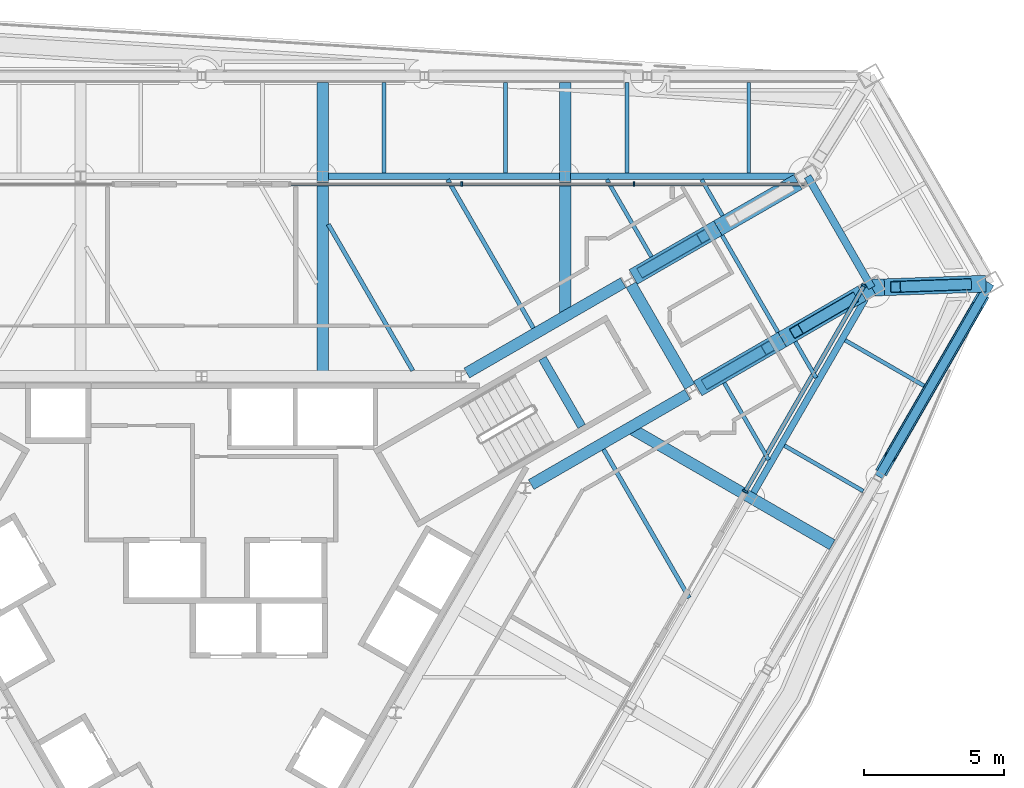
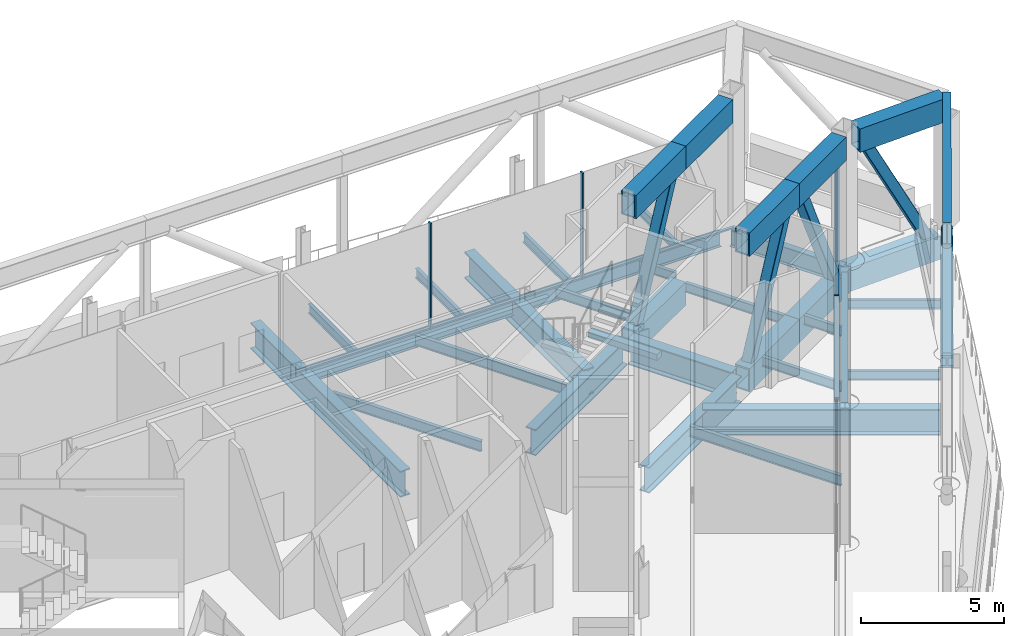
# One storey, part 11 of 24: 36 beams, 13 members, 2 elements without a shape of their own.
"""IFC4 building model written with IfcOpenShell, lengths in metres."""

from ifc_helpers import new_model, si_unit, direction, frame, origin, origin_2d, place, context, subcontext, project, spatial, rectangle, hollow_rectangle, hollow_circle, i_section, extrude, material, material_profile, profile_set, type_object, element, aggregate, save


model = new_model("IFC4")

# Units and contexts
model_context = context("Model", 3, precision=1e-05, world=origin(), true_north=direction((0.0, 1.0)))
body_context = subcontext(model_context, "Body", "Model", "MODEL_VIEW")
ifc_project = project(units=[si_unit("LENGTHUNIT", "METRE"), si_unit("AREAUNIT", "SQUARE_METRE"), si_unit("VOLUMEUNIT", "CUBIC_METRE"), si_unit("PLANEANGLEUNIT", "RADIAN"), si_unit("MASSUNIT", "GRAM", prefix="KILO")], contexts=[model_context])

# Site, building, storey
site_placement = place(None, origin())
site = spatial("IfcSite", under=ifc_project, at=site_placement, CompositionType="ELEMENT")
building_placement = place(site_placement, origin())
building = spatial("IfcBuilding", under=site, at=building_placement, Name="Verrane Prism Tower", CompositionType="ELEMENT")
storey_placement = place(building_placement, frame((0.0, 0.0, 200.60009765625)))
storey = spatial("IfcBuildingStorey", under=building, at=storey_placement, Name="L50", CompositionType="ELEMENT", Elevation=200.60009765625)

# Beams
ifc_material_1 = material(Name="Steel A992", Category="steel")
ifc_material_profile_1 = material_profile(ifc_material_1, i_section(OverallWidth=0.44189453125, OverallDepth=0.53076171875, WebThickness=0.06591796875, FlangeThickness=0.105712890625, FilletRadius=0.01513671875, at=origin_2d()), Name="W14x605")
ifc_profile_set_1 = profile_set([ifc_material_profile_1], Name="Steel A992")
beam_type_1 = type_object("IfcBeamType", Name="Belt truss chord W14x605", PredefinedType="BEAM", material=ifc_profile_set_1)
beam_1_placement = place(storey_placement, frame((24.236083984375, 4.552001953125, -0.4248046875), z_axis=(0.49925671133, 0.866454116611, 0.0), x_axis=(-0.866454116611, 0.49925671133, 0.0)))
element("IfcBeam", 1, at=beam_1_placement, inside=storey, type_object=beam_type_1, Name="Belt truss chord L50", PredefinedType="BEAM", context=body_context, shape_type="SweptSolid", body=[
    extrude(i_section(OverallWidth=0.44189453125, OverallDepth=0.53076171875, WebThickness=0.06591796875, FlangeThickness=0.105712890625, FilletRadius=0.01513671875, at=origin_2d()), origin(), (0.0, 0.0, 1.0), 7.337646484375),
])
ifc_material_2 = material(Name="Steel A992", Category="steel")
ifc_material_profile_2 = material_profile(ifc_material_2, i_section(OverallWidth=0.307373046875, OverallDepth=0.927001953125, WebThickness=0.01953125, FlangeThickness=0.031982421875, FilletRadius=0.01904296875, at=origin_2d()), Name="W36x194")
ifc_profile_set_2 = profile_set([ifc_material_profile_2], Name="Steel A992")
beam_type_2 = type_object("IfcBeamType", Name="Belt truss chord W36x194", PredefinedType="BEAM", material=ifc_profile_set_2)
beam_2_placement = place(storey_placement, frame((24.159912109375, 4.419921875, 5.176513671875), z_axis=(0.4992404173, 0.866463505137, 0.0), x_axis=(-0.866463505137, 0.4992404173, 0.0)))
element("IfcBeam", 2, at=beam_2_placement, inside=storey, type_object=beam_type_2, Name="Belt truss chord L50", PredefinedType="BEAM", context=body_context, shape_type="SweptSolid", body=[
    extrude(i_section(OverallWidth=0.307373046875, OverallDepth=0.927001953125, WebThickness=0.01953125, FlangeThickness=0.031982421875, FilletRadius=0.01904296875, at=origin_2d()), origin(), (0.0, 0.0, 1.0), 7.951904296875),
])

# Member
ifc_material_3 = material(Name="Steel A500 Grade C", Category="steel")
ifc_material_profile_3 = material_profile(ifc_material_3, hollow_circle(Radius=0.203125, WallThickness=0.0126953125, at=origin_2d()), Name="HSS16.000x0.500")
ifc_profile_set_3 = profile_set([ifc_material_profile_3], Name="Steel A500 Grade C")
member_type_1 = type_object("IfcMemberType", Name="Belt truss diagonal HSS16.000x0.500", PredefinedType="BRACE", material=ifc_profile_set_3)
member_1_placement = place(storey_placement, frame((27.654296875, 10.484619140625, -0.1591796875), z_axis=(-0.388773985342, -0.674788056398, 0.627308430729), x_axis=(0.86647824971, -0.499214826282, 0.0)))
element("IfcMember", 3, at=member_1_placement, inside=storey, type_object=member_type_1, Name="Belt truss diagonal L50", PredefinedType="BRACE", context=body_context, shape_type="SweptSolid", body=[
    extrude(hollow_circle(Radius=0.203125, WallThickness=0.0126953125, at=origin_2d()), origin(), (0.0, 0.0, 1.0), 7.949462890625),
])

# Beams
ifc_material_4 = material(Name="Steel A992", Category="steel")
ifc_material_profile_4 = material_profile(ifc_material_4, i_section(OverallWidth=0.2666015625, OverallDepth=0.7568359375, WebThickness=0.013916015625, FlangeThickness=0.019287109375, FilletRadius=0.0166015625, at=origin_2d()), Name="W30x108")
ifc_profile_set_4 = profile_set([ifc_material_profile_4], Name="Steel A992")
beam_type_3 = type_object("IfcBeamType", Name="Chamfer spandrel beam W30x108", PredefinedType="SPANDREL", material=ifc_profile_set_4)
beam_3_placement = place(storey_placement, frame((23.909912109375, 11.159912109375, -0.53857421875), z_axis=(-0.499628679417, 0.86623967971, 0.0), x_axis=(-0.86623967971, -0.499628679417, 0.0)))
element("IfcBeam", 4, at=beam_3_placement, inside=storey, type_object=beam_type_3, Name="Chamfer spandrel beam L50", PredefinedType="SPANDREL", context=body_context, shape_type="SweptSolid", body=[
    extrude(i_section(OverallWidth=0.2666015625, OverallDepth=0.7568359375, WebThickness=0.013916015625, FlangeThickness=0.019287109375, FilletRadius=0.0166015625, at=origin_2d()), origin(), (0.0, 0.0, 1.0), 4.5830078125),
])
ifc_material_5 = material(Name="Steel A992", Category="steel")
ifc_material_profile_5 = material_profile(ifc_material_5, i_section(OverallWidth=0.140380859375, OverallDepth=0.40380859375, WebThickness=0.007080078125, FlangeThickness=0.01123046875, FilletRadius=0.01025390625, at=origin_2d()), Name="W16x31")
ifc_profile_set_5 = profile_set([ifc_material_profile_5], Name="Steel A992")
beam_type_4 = type_object("IfcBeamType", Name="Floor beam W16x31", PredefinedType="BEAM", material=ifc_profile_set_5)
for number, where, z_axis, x_axis, name in (
    (5, (19.521728515625, 15.2451171875, -0.362060546875), (0.0, 1.0, 0.0), (-1.0, 0.0, 0.0), "Floor beam L50"),
    (6, (15.18359375, 15.2451171875, -0.362060546875), (0.0, 1.0, 0.0), (-1.0, 0.0, 0.0), "Floor beam L50"),
    (7, (10.845458984375, 15.2451171875, -0.362060546875), (0.0, 1.0, 0.0), (-1.0, 0.0, 0.0), "Floor beam L50"),
    (8, (6.50732421875, 15.2451171875, -0.362060546875), (0.0, 1.0, 0.0), (-1.0, 0.0, 0.0), "Floor beam L50"),
):
    element("IfcBeam", number, at=place(storey_placement, frame(where, z_axis=z_axis, x_axis=x_axis)), inside=storey, type_object=beam_type_4, Name=name, PredefinedType="BEAM", context=body_context, shape_type="SweptSolid", body=[
        extrude(i_section(OverallWidth=0.140380859375, OverallDepth=0.40380859375, WebThickness=0.007080078125, FlangeThickness=0.01123046875, FilletRadius=0.01025390625, at=origin_2d()), origin(), (0.0, 0.0, 1.0), 3.243896484375),
    ])
beam_4_placement = place(storey_placement, frame((18.586181640625, 13.727294921875, -0.362060546875), z_axis=(-0.500006734102, 0.866021515814, 0.0), x_axis=(-0.866021515814, -0.500006734102, 0.0)))
element("IfcBeam", 9, at=beam_4_placement, inside=storey, type_object=beam_type_4, Name="Floor beam L50", PredefinedType="BEAM", context=body_context, shape_type="SweptSolid", body=[
    extrude(i_section(OverallWidth=0.140380859375, OverallDepth=0.40380859375, WebThickness=0.007080078125, FlangeThickness=0.01123046875, FilletRadius=0.01025390625, at=origin_2d()), origin(), (0.0, 0.0, 1.0), 1.48681640625),
])
beam_5_placement = place(storey_placement, frame((16.049072265625, 12.264404296875, -0.362060546875), z_axis=(-0.500032968797, 0.866006368404, 0.0), x_axis=(-0.866006368404, -0.500032968797, 0.0)))
element("IfcBeam", 10, at=beam_5_placement, inside=storey, type_object=beam_type_4, Name="Floor beam L50", PredefinedType="BEAM", context=body_context, shape_type="SweptSolid", body=[
    extrude(i_section(OverallWidth=0.140380859375, OverallDepth=0.40380859375, WebThickness=0.007080078125, FlangeThickness=0.01123046875, FilletRadius=0.01025390625, at=origin_2d()), origin(), (0.0, 0.0, 1.0), 3.176025390625),
])
beam_6_placement = place(storey_placement, frame((25.77294921875, 7.661865234375, -0.362060546875), z_axis=(-0.866036573622, 0.499980652775, 0.0), x_axis=(-0.499980652775, -0.866036573622, 0.0)))
element("IfcBeam", 11, at=beam_6_placement, inside=storey, type_object=beam_type_4, Name="Floor beam L50", PredefinedType="BEAM", context=body_context, shape_type="SweptSolid", body=[
    extrude(i_section(OverallWidth=0.140380859375, OverallDepth=0.40380859375, WebThickness=0.007080078125, FlangeThickness=0.01123046875, FilletRadius=0.01025390625, at=origin_2d()), origin(), (0.0, 0.0, 1.0), 3.246826171875),
])
beam_7_placement = place(storey_placement, frame((23.6064453125, 3.903564453125, -0.362060546875), z_axis=(-0.866027848477, 0.499995765644, 0.0), x_axis=(-0.499995765644, -0.866027848477, 0.0)))
element("IfcBeam", 12, at=beam_7_placement, inside=storey, type_object=beam_type_4, Name="Floor beam L50", PredefinedType="BEAM", context=body_context, shape_type="SweptSolid", body=[
    extrude(i_section(OverallWidth=0.140380859375, OverallDepth=0.40380859375, WebThickness=0.007080078125, FlangeThickness=0.01123046875, FilletRadius=0.01025390625, at=origin_2d()), origin(), (0.0, 0.0, 1.0), 3.24755859375),
])
beam_8_placement = place(storey_placement, frame((21.92333984375, 7.94580078125, -0.362060546875), z_axis=(-0.499902584933, 0.866081639095, 0.0), x_axis=(-0.866081639095, -0.499902584933, 0.0)))
element("IfcBeam", 13, at=beam_8_placement, inside=storey, type_object=beam_type_4, Name="Floor beam L50", PredefinedType="BEAM", context=body_context, shape_type="SweptSolid", body=[
    extrude(i_section(OverallWidth=0.140380859375, OverallDepth=0.40380859375, WebThickness=0.007080078125, FlangeThickness=0.01123046875, FilletRadius=0.01025390625, at=origin_2d()), origin(), (0.0, 0.0, 1.0), 1.486083984375),
])
beam_9_placement = place(storey_placement, frame((20.234130859375, 5.016845703125, -0.362060546875), z_axis=(-0.500002074818, 0.866024205884, 0.0), x_axis=(-0.866024205884, -0.500002074818, 0.0)))
element("IfcBeam", 14, at=beam_9_placement, inside=storey, type_object=beam_type_4, Name="Floor beam L50", PredefinedType="BEAM", context=body_context, shape_type="SweptSolid", body=[
    extrude(i_section(OverallWidth=0.140380859375, OverallDepth=0.40380859375, WebThickness=0.007080078125, FlangeThickness=0.01123046875, FilletRadius=0.01025390625, at=origin_2d()), origin(), (0.0, 0.0, 1.0), 3.17431640625),
])
beam_10_placement = place(storey_placement, frame((20.56494140625, 9.56982421875, -0.362060546875), z_axis=(-0.499989060909, 0.866031719379, 0.0), x_axis=(-0.866031719379, -0.499989060909, 0.0)))
element("IfcBeam", 15, at=beam_10_placement, inside=storey, type_object=beam_type_4, Name="Floor beam L50", PredefinedType="BEAM", context=body_context, shape_type="SweptSolid", body=[
    extrude(i_section(OverallWidth=0.140380859375, OverallDepth=0.40380859375, WebThickness=0.007080078125, FlangeThickness=0.01123046875, FilletRadius=0.01025390625, at=origin_2d()), origin(), (0.0, 0.0, 1.0), 3.98974609375),
])
ifc_material_6 = material(Name="Steel A992", Category="steel")
ifc_material_profile_6 = material_profile(ifc_material_6, i_section(OverallWidth=0.15234375, OverallDepth=0.449462890625, WebThickness=0.007568359375, FlangeThickness=0.0107421875, FilletRadius=0.01025390625, at=origin_2d()), Name="W18x35")
ifc_profile_set_6 = profile_set([ifc_material_profile_6], Name="Steel A992")
beam_type_5 = type_object("IfcBeamType", Name="Floor beam W18x35", PredefinedType="BEAM", material=ifc_profile_set_6)
beam_11_placement = place(storey_placement, frame((11.837890625, 9.72021484375, -0.385009765625), z_axis=(-0.500000141125, 0.866025322306, 0.0), x_axis=(-0.866025322306, -0.500000141125, 0.0)))
element("IfcBeam", 16, at=beam_11_placement, inside=storey, type_object=beam_type_5, Name="Floor beam L50", PredefinedType="BEAM", context=body_context, shape_type="SweptSolid", body=[
    extrude(i_section(OverallWidth=0.15234375, OverallDepth=0.449462890625, WebThickness=0.007568359375, FlangeThickness=0.0107421875, FilletRadius=0.01025390625, at=origin_2d()), origin(), (0.0, 0.0, 1.0), 6.11376953125),
])
beam_12_placement = place(storey_placement, frame((7.53515625, 8.201904296875, -0.385009765625), z_axis=(-0.499999492451, 0.866025696818, 0.0), x_axis=(-0.866025696818, -0.499999492451, 0.0)))
element("IfcBeam", 17, at=beam_12_placement, inside=storey, type_object=beam_type_5, Name="Floor beam L50", PredefinedType="BEAM", context=body_context, shape_type="SweptSolid", body=[
    extrude(i_section(OverallWidth=0.15234375, OverallDepth=0.449462890625, WebThickness=0.007568359375, FlangeThickness=0.0107421875, FilletRadius=0.01025390625, at=origin_2d()), origin(), (0.0, 0.0, 1.0), 6.0263671875),
])
beam_13_placement = place(storey_placement, frame((17.3974609375, 0.098876953125, -0.385009765625), z_axis=(-0.500006018292, 0.866021929094, 0.0), x_axis=(-0.866021929094, -0.500006018292, 0.0)))
element("IfcBeam", 18, at=beam_13_placement, inside=storey, type_object=beam_type_5, Name="Floor beam L50", PredefinedType="BEAM", context=body_context, shape_type="SweptSolid", body=[
    extrude(i_section(OverallWidth=0.15234375, OverallDepth=0.449462890625, WebThickness=0.007568359375, FlangeThickness=0.0107421875, FilletRadius=0.01025390625, at=origin_2d()), origin(), (0.0, 0.0, 1.0), 6.111328125),
])

# Curtain wall, members
ifc_material_7 = material(Name="Aluminium framed insulated glazing", Category="aluminium")
curtain_wall_type_1 = type_object("IfcCurtainWallType", Name="Curtain wall CW-B 5600 module", PredefinedType="NOTDEFINED", material=ifc_material_7)
curtain_wall_1_placement = place(storey_placement, origin())
curtain_wall_1 = element("IfcCurtainWall", 19, at=curtain_wall_1_placement, inside=storey, type_object=curtain_wall_type_1, Name="Refuge lounge glazing north face L50 1", PredefinedType="NOTDEFINED")
ifc_material_8 = material(Name="Aluminium alloy 6063-T6", Category="aluminium")
ifc_material_profile_7 = material_profile(ifc_material_8, rectangle(XDim=0.159912109375, YDim=0.06005859375, at=origin_2d()), Name="Mullion 60x160 aluminium")
ifc_profile_set_7 = profile_set([ifc_material_profile_7], Name="Aluminium alloy 6063-T6")
member_type_2 = type_object("IfcMemberType", Name="Mullion 60x160 aluminium", PredefinedType="MULLION", material=ifc_profile_set_7)
member_2_placement = place(storey_placement, frame((15.43017578125, 14.85107421875, 0.0), z_axis=(0.0, 0.0, 1.0), x_axis=(0.0, -1.0, 0.0)))
member_2 = element("IfcMember", 20, at=member_2_placement, type_object=member_type_2, Name="CW50.2.1 mullion 2", PredefinedType="MULLION", context=body_context, shape_type="SweptSolid", body=[
    extrude(rectangle(XDim=0.159912109375, YDim=0.06005859375, at=origin_2d()), origin(), (0.0, 0.0, 1.0), 4.522216796875),
])
member_3_placement = place(storey_placement, frame((9.280029296875, 14.85107421875, 0.0), z_axis=(0.0, 0.0, 1.0), x_axis=(0.0, -1.0, 0.0)))
member_3 = element("IfcMember", 21, at=member_3_placement, type_object=member_type_2, Name="CW50.2.1 mullion 3", PredefinedType="MULLION", context=body_context, shape_type="SweptSolid", body=[
    extrude(rectangle(XDim=0.159912109375, YDim=0.06005859375, at=origin_2d()), origin(), (0.0, 0.0, 1.0), 4.522216796875),
])

ifc_material_9 = material(Name="Aluminium framed insulated glazing", Category="aluminium")
curtain_wall_type_2 = type_object("IfcCurtainWallType", Name="Curtain wall CW-A 8400 module", PredefinedType="NOTDEFINED", material=ifc_material_9)
curtain_wall_2_placement = place(storey_placement, origin())
curtain_wall_2 = element("IfcCurtainWall", 22, at=curtain_wall_2_placement, inside=storey, type_object=curtain_wall_type_2, Name="Refuge lounge glazing south-east face L50 3", PredefinedType="NOTDEFINED")
ifc_material_10 = material(Name="Aluminium alloy 6063-T6", Category="aluminium")
ifc_material_profile_8 = material_profile(ifc_material_10, rectangle(XDim=0.199951171875, YDim=0.070068359375, at=origin_2d()), Name="Mullion 70x200 aluminium")
ifc_profile_set_8 = profile_set([ifc_material_profile_8], Name="Aluminium alloy 6063-T6")
member_type_3 = type_object("IfcMemberType", Name="Mullion 70x200 aluminium", PredefinedType="MULLION", material=ifc_profile_set_8)
member_4_placement = place(storey_placement, frame((19.3994140625, 3.89892578125, 0.0), z_axis=(0.0, 0.0, 1.0), x_axis=(-0.866027812817, 0.499995827409, 0.0)))
member_4 = element("IfcMember", 23, at=member_4_placement, type_object=member_type_3, Name="CW50.6.3 mullion 1", PredefinedType="MULLION", context=body_context, shape_type="SweptSolid", body=[
    extrude(rectangle(XDim=0.199951171875, YDim=0.070068359375, at=origin_2d()), origin(), (0.0, 0.0, 1.0), 4.522216796875),
])
member_5_placement = place(storey_placement, frame((23.6337890625, 11.233154296875, 0.0), z_axis=(0.0, 0.0, 1.0), x_axis=(-0.866027812817, 0.499995827409, 0.0)))
member_5 = element("IfcMember", 24, at=member_5_placement, type_object=member_type_3, Name="CW50.6.3 mullion 2", PredefinedType="MULLION", context=body_context, shape_type="SweptSolid", body=[
    extrude(rectangle(XDim=0.199951171875, YDim=0.070068359375, at=origin_2d()), origin(), (0.0, 0.0, 1.0), 4.522216796875),
])

# Beams
ifc_material_11 = material(Name="Steel A572 Grade 50", Category="steel")
ifc_material_profile_9 = material_profile(ifc_material_11, hollow_rectangle(XDim=0.60009765625, YDim=1.0, WallThickness=0.06005859375, at=origin_2d()), Name="BOX 1000x600x60")
ifc_profile_set_9 = profile_set([ifc_material_profile_9], Name="Steel A572 Grade 50")
beam_type_6 = type_object("IfcBeamType", Name="Outrigger truss chord BOX 1000x600x60", PredefinedType="BEAM", material=ifc_profile_set_9)
beam_14_placement = place(storey_placement, frame((27.677490234375, 11.2939453125, -0.66015625), z_axis=(-0.999367794504, -0.035552936702, 0.0), x_axis=(0.035552936702, -0.999367794504, 0.0)))
element("IfcBeam", 25, at=beam_14_placement, inside=storey, type_object=beam_type_6, Name="Outrigger truss chord L50", PredefinedType="BEAM", context=body_context, shape_type="SweptSolid", body=[
    extrude(hollow_rectangle(XDim=0.60009765625, YDim=1.0, WallThickness=0.06005859375, at=origin_2d()), origin(), (0.0, 0.0, 1.0), 3.77001953125),
])
beam_15_placement = place(storey_placement, frame((23.909912109375, 11.159912109375, -0.66015625), z_axis=(-0.865400627406, -0.501080586417, 0.0), x_axis=(0.501080586417, -0.865400627406, 0.0)))
element("IfcBeam", 26, at=beam_15_placement, inside=storey, type_object=beam_type_6, Name="Outrigger truss chord L50", PredefinedType="BEAM", context=body_context, shape_type="SweptSolid", body=[
    extrude(hollow_rectangle(XDim=0.60009765625, YDim=1.0, WallThickness=0.06005859375, at=origin_2d()), origin(), (0.0, 0.0, 1.0), 3.691650390625),
])
beam_16_placement = place(storey_placement, frame((20.715087890625, 9.31005859375, -0.66015625), z_axis=(-0.865408692438, -0.501066657295, 0.0), x_axis=(0.501066657295, -0.865408692438, 0.0)))
element("IfcBeam", 27, at=beam_16_placement, inside=storey, type_object=beam_type_6, Name="Outrigger truss chord L50", PredefinedType="BEAM", context=body_context, shape_type="SweptSolid", body=[
    extrude(hollow_rectangle(XDim=0.60009765625, YDim=1.0, WallThickness=0.06005859375, at=origin_2d()), origin(), (0.0, 0.0, 1.0), 3.48388671875),
])
beam_17_placement = place(storey_placement, frame((27.97998046875, 11.3046875, 5.139892578125), z_axis=(-0.999368084708, -0.035544778338, 0.0), x_axis=(0.035544778338, -0.999368084708, 0.0)))
element("IfcBeam", 28, at=beam_17_placement, inside=storey, type_object=beam_type_6, Name="Outrigger truss chord L50", PredefinedType="BEAM", context=body_context, shape_type="SweptSolid", body=[
    extrude(hollow_rectangle(XDim=0.60009765625, YDim=1.0, WallThickness=0.06005859375, at=origin_2d()), origin(), (0.0, 0.0, 1.0), 3.61962890625),
])
beam_18_placement = place(storey_placement, frame((23.563720703125, 10.959716796875, 5.139892578125), z_axis=(-0.865367039081, -0.501138591282, 0.0), x_axis=(0.501138591282, -0.865367039081, 0.0)))
element("IfcBeam", 29, at=beam_18_placement, inside=storey, type_object=beam_type_6, Name="Outrigger truss chord L50", PredefinedType="BEAM", context=body_context, shape_type="SweptSolid", body=[
    extrude(hollow_rectangle(XDim=0.60009765625, YDim=1.0, WallThickness=0.06005859375, at=origin_2d()), origin(), (0.0, 0.0, 1.0), 3.291748046875),
])
beam_19_placement = place(storey_placement, frame((20.715087890625, 9.31005859375, 5.139892578125), z_axis=(-0.865408692438, -0.501066657295, 0.0), x_axis=(0.501066657295, -0.865408692438, 0.0)))
element("IfcBeam", 30, at=beam_19_placement, inside=storey, type_object=beam_type_6, Name="Outrigger truss chord L50", PredefinedType="BEAM", context=body_context, shape_type="SweptSolid", body=[
    extrude(hollow_rectangle(XDim=0.60009765625, YDim=1.0, WallThickness=0.06005859375, at=origin_2d()), origin(), (0.0, 0.0, 1.0), 3.48388671875),
])
beam_20_placement = place(storey_placement, frame((18.419921875, 13.284912109375, -0.66015625), z_axis=(-0.866318493487, -0.499492009788, 0.0), x_axis=(0.499492009788, -0.866318493487, 0.0)))
element("IfcBeam", 31, at=beam_20_placement, inside=storey, type_object=beam_type_6, Name="Outrigger truss chord L50", PredefinedType="BEAM", context=body_context, shape_type="SweptSolid", body=[
    extrude(hollow_rectangle(XDim=0.60009765625, YDim=1.0, WallThickness=0.06005859375, at=origin_2d()), origin(), (0.0, 0.0, 1.0), 3.485595703125),
])
beam_21_placement = place(storey_placement, frame((21.2734375, 14.93017578125, 5.139892578125), z_axis=(-0.866316356648, -0.499495715901, 0.0), x_axis=(0.499495715901, -0.866316356648, 0.0)))
element("IfcBeam", 32, at=beam_21_placement, inside=storey, type_object=beam_type_6, Name="Outrigger truss chord L50", PredefinedType="BEAM", context=body_context, shape_type="SweptSolid", body=[
    extrude(hollow_rectangle(XDim=0.60009765625, YDim=1.0, WallThickness=0.06005859375, at=origin_2d()), origin(), (0.0, 0.0, 1.0), 3.2939453125),
])
beam_22_placement = place(storey_placement, frame((18.419921875, 13.284912109375, 5.139892578125), z_axis=(-0.866318493487, -0.499492009788, 0.0), x_axis=(0.499492009788, -0.866318493487, 0.0)))
element("IfcBeam", 33, at=beam_22_placement, inside=storey, type_object=beam_type_6, Name="Outrigger truss chord L50", PredefinedType="BEAM", context=body_context, shape_type="SweptSolid", body=[
    extrude(hollow_rectangle(XDim=0.60009765625, YDim=1.0, WallThickness=0.06005859375, at=origin_2d()), origin(), (0.0, 0.0, 1.0), 3.485595703125),
])

# Members
ifc_material_12 = material(Name="Steel A500 Grade C", Category="steel")
ifc_material_profile_10 = material_profile(ifc_material_12, hollow_rectangle(XDim=0.406494140625, YDim=0.406494140625, WallThickness=0.01904296875, InnerFilletRadius=0.009521484375, OuterFilletRadius=0.028564453125, at=origin_2d()), Name="HSS16x16x3/4")
ifc_profile_set_10 = profile_set([ifc_material_profile_10], Name="Steel A500 Grade C")
member_type_4 = type_object("IfcMemberType", Name="Outrigger truss diagonal HSS16x16x3/4", PredefinedType="BRACE", material=ifc_profile_set_10)
member_6_placement = place(storey_placement, frame((27.281494140625, 11.27978515625, -0.22021484375), z_axis=(-0.456261232224, -0.016202019567, 0.889698366038), x_axis=(0.035488033594, -0.99937010135, 0.0)))
element("IfcMember", 34, at=member_6_placement, inside=storey, type_object=member_type_4, Name="Outrigger truss diagonal L50", PredefinedType="BRACE", context=body_context, shape_type="SweptSolid", body=[
    extrude(hollow_rectangle(XDim=0.406494140625, YDim=0.406494140625, WallThickness=0.01904296875, InnerFilletRadius=0.009521484375, OuterFilletRadius=0.028564453125, at=origin_2d()), origin(), (0.0, 0.0, 1.0), 5.530029296875),
])
member_7_placement = place(storey_placement, frame((23.19384765625, 10.745361328125, -0.22021484375), z_axis=(-0.364454072205, -0.211030519211, 0.906994679816), x_axis=(0.501091032423, -0.865394578921, 0.0)))
element("IfcMember", 35, at=member_7_placement, inside=storey, type_object=member_type_4, Name="Outrigger truss diagonal L50", PredefinedType="BRACE", context=body_context, shape_type="SweptSolid", body=[
    extrude(hollow_rectangle(XDim=0.406494140625, YDim=0.406494140625, WallThickness=0.01904296875, InnerFilletRadius=0.009521484375, OuterFilletRadius=0.028564453125, at=origin_2d()), origin(), (0.0, 0.0, 1.0), 5.4248046875),
])
member_8_placement = place(storey_placement, frame((18.082763671875, 7.785888671875, -0.22021484375), z_axis=(0.385411100855, 0.223160802259, 0.895353304385), x_axis=(-0.501083458137, 0.86539896463, 0.0)))
element("IfcMember", 36, at=member_8_placement, inside=storey, type_object=member_type_4, Name="Outrigger truss diagonal L50", PredefinedType="BRACE", context=body_context, shape_type="SweptSolid", body=[
    extrude(hollow_rectangle(XDim=0.406494140625, YDim=0.406494140625, WallThickness=0.01904296875, InnerFilletRadius=0.009521484375, OuterFilletRadius=0.028564453125, at=origin_2d()), origin(), (0.0, 0.0, 1.0), 5.4951171875),
])
member_9_placement = place(storey_placement, frame((15.783447265625, 11.764892578125, -0.22021484375), z_axis=(0.385990173055, 0.222558495455, 0.895253764251), x_axis=(-0.499506656897, 0.866310048259, 0.0)))
element("IfcMember", 37, at=member_9_placement, inside=storey, type_object=member_type_4, Name="Outrigger truss diagonal L50", PredefinedType="BRACE", context=body_context, shape_type="SweptSolid", body=[
    extrude(hollow_rectangle(XDim=0.406494140625, YDim=0.406494140625, WallThickness=0.01904296875, InnerFilletRadius=0.009521484375, OuterFilletRadius=0.028564453125, at=origin_2d()), origin(), (0.0, 0.0, 1.0), 5.495849609375),
])

# Beams
ifc_material_13 = material(Name="Steel A992", Category="steel")
ifc_material_profile_11 = material_profile(ifc_material_13, i_section(OverallWidth=0.23046875, OverallDepth=0.6171875, WebThickness=0.01318359375, FlangeThickness=0.022216796875, FilletRadius=0.012939453125, at=origin_2d()), Name="W24x94")
ifc_profile_set_11 = profile_set([ifc_material_profile_11], Name="Steel A992")
beam_type_7 = type_object("IfcBeamType", Name="Spandrel beam W24x94", PredefinedType="SPANDREL", material=ifc_profile_set_11)
beam_23_placement = place(storey_placement, frame((21.158203125, 15.1298828125, -0.46875), z_axis=(-1.0, 0.0, 0.0), x_axis=(0.0, -1.0, 0.0)))
element("IfcBeam", 38, at=beam_23_placement, inside=storey, type_object=beam_type_7, Name="Spandrel beam L50", PredefinedType="SPANDREL", context=body_context, shape_type="SweptSolid", body=[
    extrude(i_section(OverallWidth=0.23046875, OverallDepth=0.6171875, WebThickness=0.01318359375, FlangeThickness=0.022216796875, FilletRadius=0.012939453125, at=origin_2d()), origin(), (0.0, 0.0, 1.0), 7.987548828125),
])
beam_24_placement = place(storey_placement, frame((12.769287109375, 15.1298828125, -0.46875), z_axis=(-1.0, 0.0, 0.0), x_axis=(0.0, -1.0, 0.0)))
element("IfcBeam", 39, at=beam_24_placement, inside=storey, type_object=beam_type_7, Name="Spandrel beam L50", PredefinedType="SPANDREL", context=body_context, shape_type="SweptSolid", body=[
    extrude(i_section(OverallWidth=0.23046875, OverallDepth=0.6171875, WebThickness=0.01318359375, FlangeThickness=0.022216796875, FilletRadius=0.012939453125, at=origin_2d()), origin(), (0.0, 0.0, 1.0), 8.24853515625),
])
beam_25_placement = place(storey_placement, frame((19.690185546875, 3.84375, -0.46875), z_axis=(0.499628915067, 0.866239543792, 0.0), x_axis=(-0.866239543792, 0.499628915067, 0.0)))
element("IfcBeam", 40, at=beam_25_placement, inside=storey, type_object=beam_type_7, Name="Spandrel beam L50", PredefinedType="SPANDREL", context=body_context, shape_type="SweptSolid", body=[
    extrude(i_section(OverallWidth=0.23046875, OverallDepth=0.6171875, WebThickness=0.01318359375, FlangeThickness=0.022216796875, FilletRadius=0.012939453125, at=origin_2d()), origin(), (0.0, 0.0, 1.0), 7.98388671875),
])
ifc_material_14 = material(Name="Concrete C40/50", Category="concrete")
ifc_material_profile_12 = material_profile(ifc_material_14, rectangle(XDim=0.300048828125, YDim=0.25, at=origin_2d()), Name="RC 300x250")
ifc_profile_set_12 = profile_set([ifc_material_profile_12], Name="Concrete C40/50")
beam_type_8 = type_object("IfcBeamType", Name="Stair landing trimmer beam 300x250 concrete C40/50", PredefinedType="BEAM", material=ifc_profile_set_12)
beam_26_placement = place(storey_placement, frame((12.160400390625, 8.637451171875, 2.574951171875), z_axis=(0.500049511043, -0.865996816683, 0.0), x_axis=(0.865996816683, 0.500049511043, 0.0)))
element("IfcBeam", 41, at=beam_26_placement, inside=storey, type_object=beam_type_8, Name="Stair 1 landing trimmer beam", PredefinedType="BEAM", context=body_context, shape_type="SweptSolid", body=[
    extrude(rectangle(XDim=0.300048828125, YDim=0.25, at=origin_2d()), origin(), (0.0, 0.0, 1.0), 2.800048828125),
])
ifc_material_15 = material(Name="Steel A992", Category="steel")
ifc_material_profile_13 = material_profile(ifc_material_15, i_section(OverallWidth=0.40380859375, OverallDepth=1.11767578125, WebThickness=0.026123046875, FlangeThickness=0.044921875, FilletRadius=0.02001953125, at=origin_2d()), Name="W44x335")
ifc_profile_set_13 = profile_set([ifc_material_profile_13], Name="Steel A992")
beam_type_9 = type_object("IfcBeamType", Name="Transfer girder W44x335", PredefinedType="BEAM", material=ifc_profile_set_13)
beam_27_placement = place(storey_placement, frame((11.7607421875, 4.1357421875, -0.808837890625), z_axis=(0.866075143088, 0.499913839102, 0.0), x_axis=(-0.499913839102, 0.866075143088, 0.0)))
element("IfcBeam", 42, at=beam_27_placement, inside=storey, type_object=beam_type_9, Name="Transfer girder L50", PredefinedType="BEAM", context=body_context, shape_type="SweptSolid", body=[
    extrude(i_section(OverallWidth=0.40380859375, OverallDepth=1.11767578125, WebThickness=0.026123046875, FlangeThickness=0.044921875, FilletRadius=0.02001953125, at=origin_2d()), origin(), (0.0, 0.0, 1.0), 6.441650390625),
])
beam_28_placement = place(storey_placement, frame((17.418212890625, 7.635986328125, -0.808837890625), z_axis=(-0.500305747711, 0.865848808284, 0.0), x_axis=(-0.865848808284, -0.500305747711, 0.0)))
element("IfcBeam", 43, at=beam_28_placement, inside=storey, type_object=beam_type_9, Name="Transfer girder L50", PredefinedType="BEAM", context=body_context, shape_type="SweptSolid", body=[
    extrude(i_section(OverallWidth=0.40380859375, OverallDepth=1.11767578125, WebThickness=0.026123046875, FlangeThickness=0.044921875, FilletRadius=0.02001953125, at=origin_2d()), origin(), (0.0, 0.0, 1.0), 4.1904296875),
])
beam_29_placement = place(storey_placement, frame((15.03955078125, 11.3359375, -0.808837890625), z_axis=(-0.866075143088, -0.499913839102, 0.0), x_axis=(0.499913839102, -0.866075143088, 0.0)))
element("IfcBeam", 44, at=beam_29_placement, inside=storey, type_object=beam_type_9, Name="Transfer girder L50", PredefinedType="BEAM", context=body_context, shape_type="SweptSolid", body=[
    extrude(i_section(OverallWidth=0.40380859375, OverallDepth=1.11767578125, WebThickness=0.026123046875, FlangeThickness=0.044921875, FilletRadius=0.02001953125, at=origin_2d()), origin(), (0.0, 0.0, 1.0), 6.441650390625),
])
beam_30_placement = place(storey_placement, frame((12.969970703125, 18.489013671875, -0.718994140625), z_axis=(0.0, -1.0, 0.0), x_axis=(1.0, 0.0, 0.0)))
element("IfcBeam", 45, at=beam_30_placement, inside=storey, type_object=beam_type_9, Name="Transfer girder L50", PredefinedType="BEAM", context=body_context, shape_type="SweptSolid", body=[
    extrude(i_section(OverallWidth=0.40380859375, OverallDepth=1.11767578125, WebThickness=0.026123046875, FlangeThickness=0.044921875, FilletRadius=0.02001953125, at=origin_2d()), origin(), (0.0, 0.0, 1.0), 8.34765625),
])
beam_31_placement = place(storey_placement, frame((4.320068359375, 18.489013671875, -0.718994140625), z_axis=(0.0, -1.0, 0.0), x_axis=(1.0, 0.0, 0.0)))
element("IfcBeam", 46, at=beam_31_placement, inside=storey, type_object=beam_type_9, Name="Transfer girder L50", PredefinedType="BEAM", context=body_context, shape_type="SweptSolid", body=[
    extrude(i_section(OverallWidth=0.40380859375, OverallDepth=1.11767578125, WebThickness=0.026123046875, FlangeThickness=0.044921875, FilletRadius=0.02001953125, at=origin_2d()), origin(), (0.0, 0.0, 1.0), 10.489013671875),
])
beam_32_placement = place(storey_placement, frame((22.49853515625, 1.99072265625, -0.718994140625), z_axis=(-0.866030639775, 0.499990930889, 0.0), x_axis=(-0.499990930889, -0.866030639775, 0.0)))
element("IfcBeam", 47, at=beam_32_placement, inside=storey, type_object=beam_type_9, Name="Transfer girder L50", PredefinedType="BEAM", context=body_context, shape_type="SweptSolid", body=[
    extrude(i_section(OverallWidth=0.40380859375, OverallDepth=1.11767578125, WebThickness=0.026123046875, FlangeThickness=0.044921875, FilletRadius=0.02001953125, at=origin_2d()), origin(), (0.0, 0.0, 1.0), 8.343994140625),
])

# Member
ifc_material_16 = material(Name="Aluminium alloy 6063-T6", Category="aluminium")
ifc_material_profile_14 = material_profile(ifc_material_16, rectangle(XDim=0.1201171875, YDim=0.06005859375, at=origin_2d()), Name="Transom 60x120 aluminium")
ifc_profile_set_14 = profile_set([ifc_material_profile_14], Name="Aluminium alloy 6063-T6")
member_type_5 = type_object("IfcMemberType", Name="Transom 60x120 aluminium", PredefinedType="USERDEFINED", material=ifc_profile_set_14)
member_10_placement = place(storey_placement, frame((21.52001953125, 14.85107421875, 0.02978515625), z_axis=(-1.0, 0.0, 0.0), x_axis=(0.0, -1.0, 0.0)))
member_10 = element("IfcMember", 48, at=member_10_placement, type_object=member_type_5, Name="CW50.2.1 transom 1", ObjectType="TRANSOM", PredefinedType="USERDEFINED", context=body_context, shape_type="SweptSolid", body=[
    extrude(rectangle(XDim=0.1201171875, YDim=0.06005859375, at=origin_2d()), origin(), (0.0, 0.0, 1.0), 6.06005859375),
])

member_11_placement = place(storey_placement, frame((15.400146484375, 14.85107421875, 0.02978515625), z_axis=(-1.0, 0.0, 0.0), x_axis=(0.0, -1.0, 0.0)))
member_11 = element("IfcMember", 49, at=member_11_placement, type_object=member_type_5, Name="CW50.2.1 transom 2", ObjectType="TRANSOM", PredefinedType="USERDEFINED", context=body_context, shape_type="SweptSolid", body=[
    extrude(rectangle(XDim=0.1201171875, YDim=0.06005859375, at=origin_2d()), origin(), (0.0, 0.0, 1.0), 6.090087890625),
])

member_12_placement = place(storey_placement, frame((9.25, 14.85107421875, 0.02978515625), z_axis=(-1.0, 0.0, 0.0), x_axis=(0.0, -1.0, 0.0)))
member_12 = element("IfcMember", 50, at=member_12_placement, type_object=member_type_5, Name="CW50.2.1 transom 3", ObjectType="TRANSOM", PredefinedType="USERDEFINED", context=body_context, shape_type="SweptSolid", body=[
    extrude(rectangle(XDim=0.1201171875, YDim=0.06005859375, at=origin_2d()), origin(), (0.0, 0.0, 1.0), 6.06005859375),
])

aggregate(curtain_wall_1, [member_2, member_3, member_10, member_11, member_12])

ifc_material_17 = material(Name="Aluminium alloy 6063-T6", Category="aluminium")
ifc_material_profile_15 = material_profile(ifc_material_17, rectangle(XDim=0.14990234375, YDim=0.070068359375, at=origin_2d()), Name="Transom 70x150 aluminium")
ifc_profile_set_15 = profile_set([ifc_material_profile_15], Name="Aluminium alloy 6063-T6")
member_type_6 = type_object("IfcMemberType", Name="Transom 70x150 aluminium", PredefinedType="USERDEFINED", material=ifc_profile_set_15)
member_13_placement = place(storey_placement, frame((19.4169921875, 3.92919921875, 0.034912109375), z_axis=(0.500000074778, 0.866025360611, 0.0), x_axis=(-0.866025360611, 0.500000074778, 0.0)))
member_13 = element("IfcMember", 51, at=member_13_placement, type_object=member_type_6, Name="CW50.6.3 transom 1", ObjectType="TRANSOM", PredefinedType="USERDEFINED", context=body_context, shape_type="SweptSolid", body=[
    extrude(rectangle(XDim=0.14990234375, YDim=0.070068359375, at=origin_2d()), origin(), (0.0, 0.0, 1.0), 8.39892578125),
])

aggregate(curtain_wall_2, [member_4, member_5, member_13])

save(model, "model.ifc")
